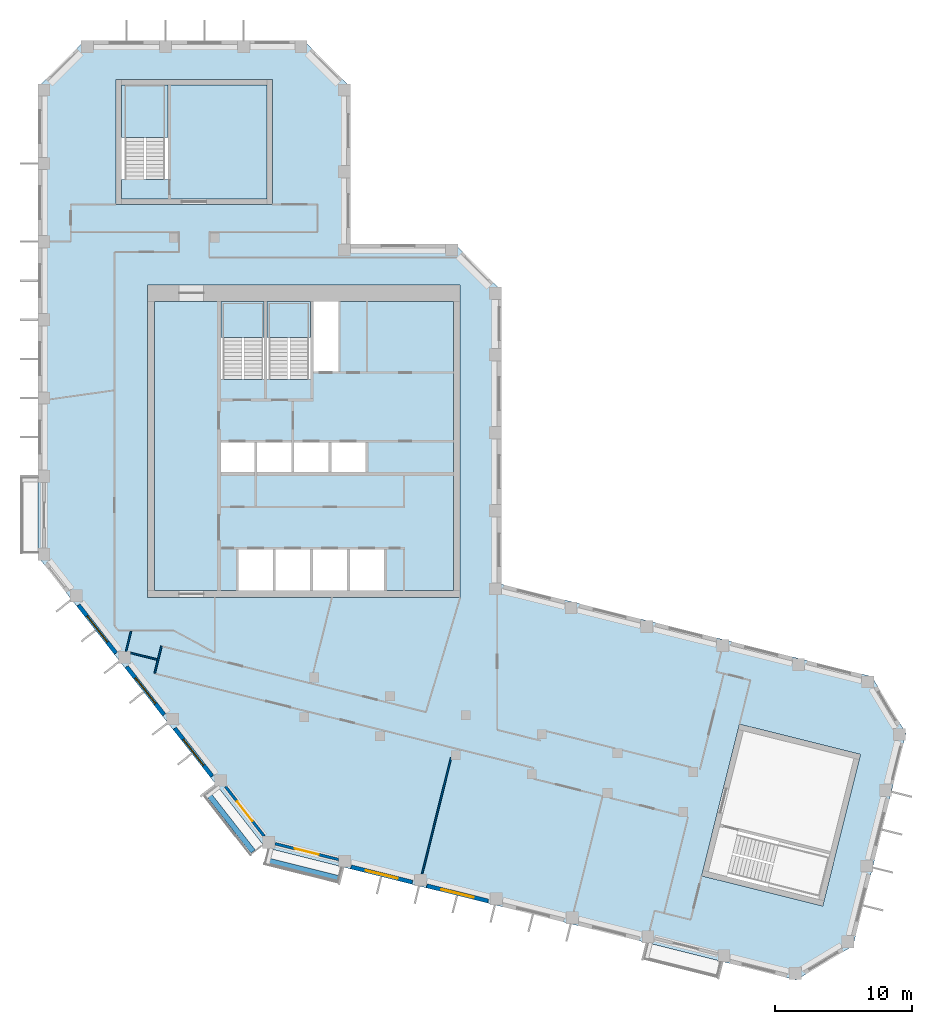
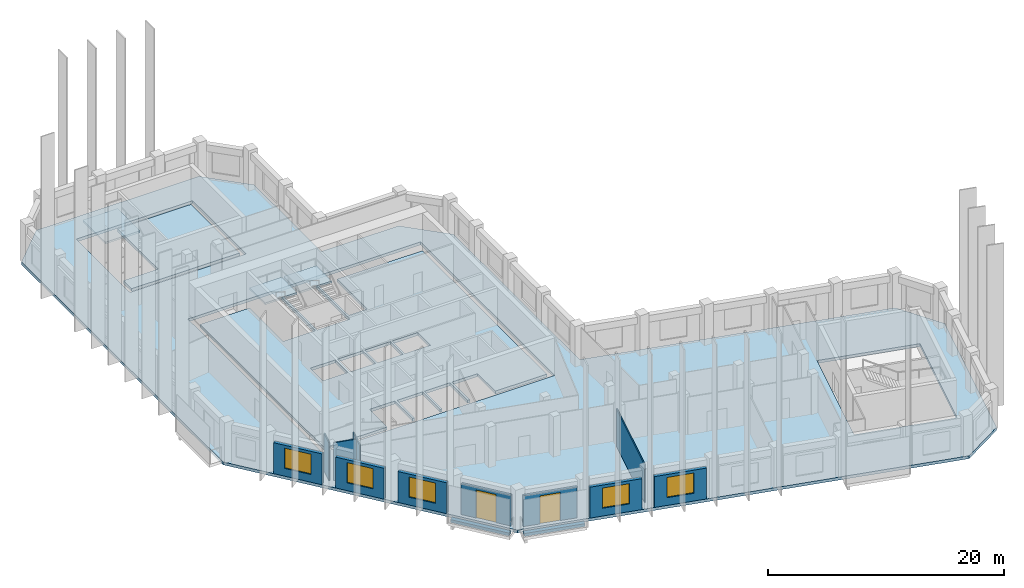
# One storey, part 2 of 8: 13 walls, 6 slabs, 5 windows, 2 doors, 7 openings, 3 elements without a shape of their own.
"""IFC4 building model written with IfcOpenShell, lengths in metres."""

from ifc_helpers import new_model, si_unit, direction, frame, frame_2d, origin, place, context, subcontext, project, spatial, polyline, rectangle, outline, extrude, material, layer, layer_set, type_object, element, fill, aggregate, save


model = new_model("IFC4")

# Units and contexts
model_context = context("Model", 3, precision=1e-05, world=origin(), true_north=direction((0.0, 1.0)))
body_context = subcontext(model_context, "Body", "Model", "MODEL_VIEW")
ifc_project = project(units=[si_unit("LENGTHUNIT", "METRE"), si_unit("AREAUNIT", "SQUARE_METRE"), si_unit("VOLUMEUNIT", "CUBIC_METRE"), si_unit("PLANEANGLEUNIT", "RADIAN"), si_unit("MASSUNIT", "GRAM", prefix="KILO")], contexts=[model_context])

# Site, building, storey
site_placement = place(None, origin())
site = spatial("IfcSite", under=ifc_project, at=site_placement, CompositionType="ELEMENT")
building_placement = place(site_placement, origin())
building = spatial("IfcBuilding", under=site, at=building_placement, Name="Meshkara Civic Tower", CompositionType="ELEMENT")
storey_placement = place(building_placement, frame((0.0, 0.0, 354.0)))
storey = spatial("IfcBuildingStorey", under=building, at=storey_placement, Name="L81", CompositionType="ELEMENT", Elevation=354.0)

# Slabs
ifc_material_1 = material(Name="Concrete C40/50", Category="concrete")
ifc_layer_1 = layer(ifc_material_1, 0.300048828125)
ifc_layer_set_1 = layer_set([ifc_layer_1], Name="Core floor slab 300 C40/50")
slab_type_1 = type_object("IfcSlabType", Name="Core floor slab 300 C40/50", PredefinedType="FLOOR", material=ifc_layer_set_1)
slab_1_placement = place(storey_placement, frame((0.0, 0.0, -0.300048828125)))
element("IfcSlab", 1, at=slab_1_placement, inside=storey, type_object=slab_type_1, Name="Core floor K", PredefinedType="FLOOR", context=body_context, shape_type="SweptSolid", body=[
    extrude(outline(polyline([(8.5, 35.699951171875), (13.35009765625, 35.699951171875), (13.35009765625, 30.00146484375), (16.5, 30.00146484375), (16.5, 35.699951171875), (16.699951171875, 35.699951171875), (16.699951171875, 30.00146484375), (19.89990234375, 30.00146484375), (19.89990234375, 35.699951171875), (20.10009765625, 35.699951171875), (20.10009765625, 30.574951171875), (21.925048828125, 30.574951171875), (21.925048828125, 35.699951171875), (30.300048828125, 35.699951171875), (30.300048828125, 14.60009765625), (25.25, 14.60009765625), (25.25, 17.60009765625), (22.75, 17.60009765625), (22.75, 14.60009765625), (22.550048828125, 14.60009765625), (22.550048828125, 17.60009765625), (20.050048828125, 17.60009765625), (20.050048828125, 14.60009765625), (19.85009765625, 14.60009765625), (19.85009765625, 17.60009765625), (17.35009765625, 17.60009765625), (17.35009765625, 14.60009765625), (17.14990234375, 14.60009765625), (17.14990234375, 17.60009765625), (14.64990234375, 17.60009765625), (14.64990234375, 14.60009765625), (8.5, 14.60009765625), (8.5, 35.699951171875)]), holes=[polyline([(13.35009765625, 23.25), (15.800048828125, 23.25), (15.800048828125, 25.39990234375), (13.35009765625, 25.39990234375), (13.35009765625, 23.25)]), polyline([(18.5, 23.25), (18.5, 25.39990234375), (16.0, 25.39990234375), (16.0, 23.25), (18.5, 23.25)]), polyline([(18.699951171875, 23.25), (21.199951171875, 23.25), (21.199951171875, 25.39990234375), (18.699951171875, 25.39990234375), (18.699951171875, 23.25)]), polyline([(23.89990234375, 23.25), (23.89990234375, 25.39990234375), (21.39990234375, 25.39990234375), (21.39990234375, 23.25), (23.89990234375, 23.25)])]), origin(), (0.0, 0.0, 1.0), 0.300048828125),
])
slab_2_placement = place(storey_placement, frame((0.0, 0.0, -0.300048828125)))
element("IfcSlab", 2, at=slab_2_placement, inside=storey, type_object=slab_type_1, Name="Core floor EA", PredefinedType="FLOOR", context=body_context, shape_type="SweptSolid", body=[
    extrude(outline(polyline([(16.699951171875, 43.169921875), (16.699951171875, 51.469970703125), (9.5, 51.469970703125), (9.5, 44.571533203125), (6.10009765625, 44.571533203125), (6.10009765625, 43.169921875), (16.699951171875, 43.169921875)])), origin(), (0.0, 0.0, 1.0), 0.300048828125),
])

# Stair, slab
ifc_material_2 = material(Name="Precast concrete C40/50", Category="concrete")
stair_type = type_object("IfcStairType", Name="Exit stair half-turn 24 risers precast", PredefinedType="HALF_TURN_STAIR", material=ifc_material_2)
stair_1_placement = place(storey_placement, origin())
stair_1 = element("IfcStair", 3, at=stair_1_placement, inside=storey, type_object=stair_type, Name="L81 exit stair 1", PredefinedType="HALF_TURN_STAIR")
ifc_material_3 = material(Name="Precast concrete C40/50", Category="concrete")
ifc_layer_2 = layer(ifc_material_3, 0.199951171875)
ifc_layer_set_2 = layer_set([ifc_layer_2], Name="Exit stair landing 200")
slab_type_2 = type_object("IfcSlabType", Name="Exit stair landing 200", PredefinedType="LANDING", material=ifc_layer_set_2)
slab_3_placement = place(storey_placement, frame((0.0, 0.0, 1.89990234375)))
slab_3 = element("IfcSlab", 4, at=slab_3_placement, type_object=slab_type_2, Name="ST1 landing 1", PredefinedType="LANDING", context=body_context, shape_type="SweptSolid", body=[
    extrude(outline(polyline([(16.5, 33.07861328125), (16.5, 35.699951171875), (13.35009765625, 35.699951171875), (13.35009765625, 33.07861328125), (16.5, 33.07861328125)])), origin(), (0.0, 0.0, 1.0), 0.2001953125),
])
aggregate(stair_1, [slab_3])

stair_2_placement = place(storey_placement, origin())
stair_2 = element("IfcStair", 5, at=stair_2_placement, inside=storey, type_object=stair_type, Name="L81 exit stair 2", PredefinedType="HALF_TURN_STAIR")
slab_4_placement = place(storey_placement, frame((0.0, 0.0, 1.89990234375)))
slab_4 = element("IfcSlab", 6, at=slab_4_placement, type_object=slab_type_2, Name="ST2 landing 1", PredefinedType="LANDING", context=body_context, shape_type="SweptSolid", body=[
    extrude(outline(polyline([(19.89990234375, 33.07861328125), (19.89990234375, 35.699951171875), (16.699951171875, 35.699951171875), (16.699951171875, 33.07861328125), (19.89990234375, 33.07861328125)])), origin(), (0.0, 0.0, 1.0), 0.2001953125),
])
aggregate(stair_2, [slab_4])

stair_3_placement = place(storey_placement, origin())
stair_3 = element("IfcStair", 7, at=stair_3_placement, inside=storey, type_object=stair_type, Name="L81 exit stair A from L80", PredefinedType="HALF_TURN_STAIR")
slab_5_placement = place(storey_placement, frame((0.0, 0.0, 1.89990234375)))
slab_5 = element("IfcSlab", 8, at=slab_5_placement, type_object=slab_type_2, Name="ESA6 landing 1", PredefinedType="LANDING", context=body_context, shape_type="SweptSolid", body=[
    extrude(outline(polyline([(9.5, 47.6484375), (9.5, 51.469970703125), (6.10009765625, 51.469970703125), (6.10009765625, 47.6484375), (9.5, 47.6484375)])), origin(), (0.0, 0.0, 1.0), 0.2001953125),
])
aggregate(stair_3, [slab_5])

# Slab
ifc_material_4 = material(Name="Concrete C50", Category="concrete")
ifc_layer_3 = layer(ifc_material_4, 0.300048828125)
ifc_layer_set_3 = layer_set([ifc_layer_3], Name="Post-tensioned flat slab 300 C50")
slab_type_3 = type_object("IfcSlabType", Name="Post-tensioned flat slab 300 C50", PredefinedType="FLOOR", material=ifc_layer_set_3)
slab_6_placement = place(storey_placement, frame((0.0, 0.0, -0.300048828125)))
element("IfcSlab", 9, at=slab_6_placement, inside=storey, type_object=slab_type_3, Name="Post-tensioned flat slab L81", PredefinedType="FLOOR", context=body_context, shape_type="SweptSolid", body=[
    extrude(outline(polyline([(59.452880859375, -11.299072265625), (55.306884765625, -13.7900390625), (16.592041015625, -4.136962890625), (0.0, 17.10009765625), (0.0, 51.300048828125), (3.419921875, 54.719970703125), (19.3798828125, 54.719970703125), (22.800048828125, 51.300048828125), (22.800048828125, 39.89990234375), (30.3798828125, 39.89990234375), (33.800048828125, 36.47998046875), (33.800048828125, 15.071044921875), (60.822998046875, 8.3330078125), (63.31396484375, 4.18701171875), (59.452880859375, -11.299072265625)]), holes=[polyline([(57.239013671875, -8.39697265625), (59.9970703125, 2.6650390625), (51.1669921875, 4.865966796875), (48.408935546875, -6.195068359375), (57.239013671875, -8.39697265625)]), polyline([(8.0, 14.10009765625), (30.800048828125, 14.10009765625), (30.800048828125, 36.89990234375), (8.0, 36.89990234375), (8.0, 14.10009765625)]), polyline([(5.699951171875, 51.8701171875), (5.699951171875, 42.77001953125), (17.10009765625, 42.77001953125), (17.10009765625, 51.8701171875), (5.699951171875, 51.8701171875)])]), origin(), (0.0, 0.0, 1.0), 0.300048828125),
])

# Wall
ifc_material_5 = material(Name="Corridor wall 100")
ifc_layer_4 = layer(ifc_material_5, 0.10009765625)
ifc_layer_set_4 = layer_set([ifc_layer_4], Name="Corridor wall 100")
wall_type_1 = type_object("IfcWallType", Name="Corridor wall 100", PredefinedType="PARTITIONING", material=ifc_layer_set_4)
wall_1_placement = place(storey_placement, frame((9.01708984375, 10.55810546875, 0.0), z_axis=(0.0, 0.0, 1.0), x_axis=(-0.241751728323, -0.970338137895, 0.0)))
element("IfcWall", 10, at=wall_1_placement, inside=storey, type_object=wall_type_1, Name="L81-W009", PredefinedType="PARTITIONING", context=body_context, shape_type="SweptSolid", body=[
    extrude(rectangle(XDim=2.052001953125, YDim=0.10009765625, at=frame_2d((1.02587890625, 0.0))), origin(), (0.0, 0.0, 1.0), 3.89990234375),
])

# Wall, opening, window
ifc_material_6 = material(Name="Insulated infill panel with bronze anodised aluminium cladding", Category="aluminium")
ifc_layer_5 = layer(ifc_material_6, 0.300048828125)
ifc_layer_set_5 = layer_set([ifc_layer_5], Name="EXTERNAL INFILL WALL 300")
wall_type_2 = type_object("IfcWallType", Name="EXTERNAL INFILL WALL 300", PredefinedType="SOLIDWALL", material=ifc_layer_set_5)
wall_2_placement = place(storey_placement, frame((2.967041015625, 13.547119140625, 0.0), z_axis=(0.0, 0.0, 1.0), x_axis=(0.615486001463, -0.788147817356, 0.0)))
wall_2 = element("IfcWall", 11, at=wall_2_placement, inside=storey, type_object=wall_type_2, Name="External wall", PredefinedType="SOLIDWALL", context=body_context, shape_type="SweptSolid", body=[
    extrude(rectangle(XDim=4.43701171875, YDim=0.300048828125, at=frame_2d((2.218505859375, 0.0))), origin(), (0.0, 0.0, 1.0), 3.199951171875),
])
opening_1_placement = place(wall_2_placement, frame((1.01806640625, 0.0, 0.800048828125)))
opening_1 = element("IfcOpeningElement", 12, at=opening_1_placement, cuts=wall_2, Name="Opening W7", PredefinedType="OPENING", context=body_context, shape_type="SweptSolid", body=[
    extrude(rectangle(XDim=2.39990234375, YDim=2.10009765625, at=frame_2d((1.199951171875, 1.050048828125))), frame((0.0, 0.159912109375, 0.0), z_axis=(0.0, -1.0, 0.0), x_axis=(1.0, 0.0, 0.0)), (0.0, 0.0, 1.0), 0.320068359375),
])
ifc_material_7 = material(Name="Tinted double glazing", Category="glass")
window_type = type_object("IfcWindowType", Name="WINDOW 2400x2100", PartitioningType="DOUBLE_PANEL_VERTICAL", PredefinedType="WINDOW", material=ifc_material_7)
window_1_placement = place(opening_1_placement, origin())
window_1 = element("IfcWindow", 13, at=window_1_placement, inside=storey, type_object=window_type, Name="Window", OverallHeight=2.10009765625, OverallWidth=2.39990234375, PartitioningType="DOUBLE_PANEL_VERTICAL", PredefinedType="WINDOW", context=body_context, shape_type="SweptSolid", body=[
    extrude(rectangle(XDim=2.39990234375, YDim=2.10009765625, at=frame_2d((1.199951171875, 1.050048828125))), frame((0.0, 0.030029296875, 0.0), z_axis=(0.0, -1.0, 0.0), x_axis=(1.0, 0.0, 0.0)), (0.0, 0.0, 1.0), 0.06005859375),
])
fill(opening_1, window_1)

wall_3_placement = place(storey_placement, frame((6.47607421875, 9.054931640625, 0.0), z_axis=(0.0, 0.0, 1.0), x_axis=(0.615649380255, -0.788020203162, 0.0)))
wall_3 = element("IfcWall", 14, at=wall_3_placement, inside=storey, type_object=wall_type_2, Name="External wall", PredefinedType="SOLIDWALL", context=body_context, shape_type="SweptSolid", body=[
    extrude(rectangle(XDim=4.4375, YDim=0.300048828125, at=frame_2d((2.21875, 0.0))), origin(), (0.0, 0.0, 1.0), 3.199951171875),
])
opening_2_placement = place(wall_3_placement, frame((1.01904296875, 0.0, 0.800048828125)))
opening_2 = element("IfcOpeningElement", 15, at=opening_2_placement, cuts=wall_3, Name="Opening W7", PredefinedType="OPENING", context=body_context, shape_type="SweptSolid", body=[
    extrude(rectangle(XDim=2.39990234375, YDim=2.10009765625, at=frame_2d((1.199951171875, 1.050048828125))), frame((0.0, 0.159912109375, 0.0), z_axis=(0.0, -1.0, 0.0), x_axis=(1.0, 0.0, 0.0)), (0.0, 0.0, 1.0), 0.320068359375),
])
window_2_placement = place(opening_2_placement, origin())
window_2 = element("IfcWindow", 16, at=window_2_placement, inside=storey, type_object=window_type, Name="Window", OverallHeight=2.10009765625, OverallWidth=2.39990234375, PartitioningType="DOUBLE_PANEL_VERTICAL", PredefinedType="WINDOW", context=body_context, shape_type="SweptSolid", body=[
    extrude(rectangle(XDim=2.39990234375, YDim=2.10009765625, at=frame_2d((1.199951171875, 1.050048828125))), frame((0.0, 0.030029296875, 0.0), z_axis=(0.0, -1.0, 0.0), x_axis=(1.0, 0.0, 0.0)), (0.0, 0.0, 1.0), 0.06005859375),
])
fill(opening_2, window_2)

wall_4_placement = place(storey_placement, frame((9.986083984375, 4.56298828125, 0.0), z_axis=(0.0, 0.0, 1.0), x_axis=(0.615592779411, -0.788064419915, 0.0)))
wall_4 = element("IfcWall", 17, at=wall_4_placement, inside=storey, type_object=wall_type_2, Name="External wall", PredefinedType="SOLIDWALL", context=body_context, shape_type="SweptSolid", body=[
    extrude(rectangle(XDim=4.436279296875, YDim=0.300048828125, at=frame_2d((2.21826171875, 0.0))), origin(), (0.0, 0.0, 1.0), 3.199951171875),
])
opening_3_placement = place(wall_4_placement, frame((1.01806640625, 0.0, 0.800048828125)))
opening_3 = element("IfcOpeningElement", 18, at=opening_3_placement, cuts=wall_4, Name="Opening W7", PredefinedType="OPENING", context=body_context, shape_type="SweptSolid", body=[
    extrude(rectangle(XDim=2.39990234375, YDim=2.10009765625, at=frame_2d((1.199951171875, 1.050048828125))), frame((0.0, 0.159912109375, 0.0), z_axis=(0.0, -1.0, 0.0), x_axis=(1.0, 0.0, 0.0)), (0.0, 0.0, 1.0), 0.320068359375),
])
window_3_placement = place(opening_3_placement, origin())
window_3 = element("IfcWindow", 19, at=window_3_placement, inside=storey, type_object=window_type, Name="Window", OverallHeight=2.10009765625, OverallWidth=2.39990234375, PartitioningType="DOUBLE_PANEL_VERTICAL", PredefinedType="WINDOW", context=body_context, shape_type="SweptSolid", body=[
    extrude(rectangle(XDim=2.39990234375, YDim=2.10009765625, at=frame_2d((1.199951171875, 1.050048828125))), frame((0.0, 0.030029296875, 0.0), z_axis=(0.0, -1.0, 0.0), x_axis=(1.0, 0.0, 0.0)), (0.0, 0.0, 1.0), 0.06005859375),
])
fill(opening_3, window_3)

wall_5_placement = place(storey_placement, frame((22.839111328125, -5.5400390625, 0.0), z_axis=(0.0, 0.0, 1.0), x_axis=(0.970282587769, -0.241974585177, 0.0)))
wall_5 = element("IfcWall", 20, at=wall_5_placement, inside=storey, type_object=wall_type_2, Name="External wall", PredefinedType="SOLIDWALL", context=body_context, shape_type="SweptSolid", body=[
    extrude(rectangle(XDim=4.60791015625, YDim=0.300048828125, at=frame_2d((2.303955078125, 0.0))), origin(), (0.0, 0.0, 1.0), 3.199951171875),
])
opening_4_placement = place(wall_5_placement, frame((1.10400390625, 0.0, 0.800048828125)))
opening_4 = element("IfcOpeningElement", 21, at=opening_4_placement, cuts=wall_5, Name="Opening W7", PredefinedType="OPENING", context=body_context, shape_type="SweptSolid", body=[
    extrude(rectangle(XDim=2.39990234375, YDim=2.10009765625, at=frame_2d((1.199951171875, 1.050048828125))), frame((0.0, 0.159912109375, 0.0), z_axis=(0.0, -1.0, 0.0), x_axis=(1.0, 0.0, 0.0)), (0.0, 0.0, 1.0), 0.320068359375),
])
window_4_placement = place(opening_4_placement, origin())
window_4 = element("IfcWindow", 22, at=window_4_placement, inside=storey, type_object=window_type, Name="Window", OverallHeight=2.10009765625, OverallWidth=2.39990234375, PartitioningType="DOUBLE_PANEL_VERTICAL", PredefinedType="WINDOW", context=body_context, shape_type="SweptSolid", body=[
    extrude(rectangle(XDim=2.39990234375, YDim=2.10009765625, at=frame_2d((1.199951171875, 1.050048828125))), frame((0.0, 0.030029296875, 0.0), z_axis=(0.0, -1.0, 0.0), x_axis=(1.0, 0.0, 0.0)), (0.0, 0.0, 1.0), 0.06005859375),
])
fill(opening_4, window_4)

wall_6_placement = place(storey_placement, frame((28.368896484375, -6.9189453125, 0.0), z_axis=(0.0, 0.0, 1.0), x_axis=(0.970298093093, -0.241912402618, 0.0)))
wall_6 = element("IfcWall", 23, at=wall_6_placement, inside=storey, type_object=wall_type_2, Name="External wall", PredefinedType="SOLIDWALL", context=body_context, shape_type="SweptSolid", body=[
    extrude(rectangle(XDim=4.609130859375, YDim=0.300048828125, at=frame_2d((2.3046875, 0.0))), origin(), (0.0, 0.0, 1.0), 3.199951171875),
])
opening_5_placement = place(wall_6_placement, frame((1.10498046875, 0.0, 0.800048828125)))
opening_5 = element("IfcOpeningElement", 24, at=opening_5_placement, cuts=wall_6, Name="Opening W7", PredefinedType="OPENING", context=body_context, shape_type="SweptSolid", body=[
    extrude(rectangle(XDim=2.39990234375, YDim=2.10009765625, at=frame_2d((1.199951171875, 1.050048828125))), frame((0.0, 0.159912109375, 0.0), z_axis=(0.0, -1.0, 0.0), x_axis=(1.0, 0.0, 0.0)), (0.0, 0.0, 1.0), 0.320068359375),
])
window_5_placement = place(opening_5_placement, origin())
window_5 = element("IfcWindow", 25, at=window_5_placement, inside=storey, type_object=window_type, Name="Window", OverallHeight=2.10009765625, OverallWidth=2.39990234375, PartitioningType="DOUBLE_PANEL_VERTICAL", PredefinedType="WINDOW", context=body_context, shape_type="SweptSolid", body=[
    extrude(rectangle(XDim=2.39990234375, YDim=2.10009765625, at=frame_2d((1.199951171875, 1.050048828125))), frame((0.0, 0.030029296875, 0.0), z_axis=(0.0, -1.0, 0.0), x_axis=(1.0, 0.0, 0.0)), (0.0, 0.0, 1.0), 0.06005859375),
])
fill(opening_5, window_5)

# Wall, opening, door
ifc_material_8 = material(Name="Insulated infill panel with bronze anodised aluminium cladding", Category="aluminium")
ifc_layer_6 = layer(ifc_material_8, 0.199951171875)
ifc_layer_set_6 = layer_set([ifc_layer_6], Name="LOGGIA BACK WALL 200")
wall_type_3 = type_object("IfcWallType", Name="LOGGIA BACK WALL 200", PredefinedType="SOLIDWALL", material=ifc_layer_set_6)
wall_7_placement = place(storey_placement, frame((13.694091796875, 0.303955078125, 0.0), z_axis=(0.0, 0.0, 1.0), x_axis=(0.615460024179, -0.788168103033, 0.0)))
wall_7 = element("IfcWall", 26, at=wall_7_placement, inside=storey, type_object=wall_type_3, Name="Loggia wall", PredefinedType="SOLIDWALL", context=body_context, shape_type="SweptSolid", body=[
    extrude(rectangle(XDim=4.557373046875, YDim=0.199951171875, at=frame_2d((2.27880859375, 0.0))), origin(), (0.0, 0.0, 1.0), 3.199951171875),
])
opening_6_placement = place(wall_7_placement, frame((1.37890625, 0.0, 0.0)))
opening_6 = element("IfcOpeningElement", 27, at=opening_6_placement, cuts=wall_7, Name="Opening L81-L002", PredefinedType="OPENING", context=body_context, shape_type="SweptSolid", body=[
    extrude(rectangle(XDim=1.800048828125, YDim=2.89990234375, at=frame_2d((0.89990234375, 1.449951171875))), frame((0.0, 0.10986328125, 0.0), z_axis=(0.0, -1.0, 0.0), x_axis=(1.0, 0.0, 0.0)), (0.0, 0.0, 1.0), 0.219970703125),
])
ifc_material_9 = material(Name="Tinted double glazing", Category="glass")
door_type = type_object("IfcDoorType", Name="LOGGIA DOOR 1800x2900", OperationType="DOUBLE_DOOR_SINGLE_SWING", PredefinedType="DOOR", material=ifc_material_9)
door_1_placement = place(opening_6_placement, origin())
door_1 = element("IfcDoor", 28, at=door_1_placement, inside=storey, type_object=door_type, Name="L81-L002", OperationType="DOUBLE_DOOR_SINGLE_SWING", OverallHeight=2.89990234375, OverallWidth=1.800048828125, PredefinedType="DOOR", context=body_context, shape_type="SweptSolid", body=[
    extrude(rectangle(XDim=1.800048828125, YDim=2.89990234375, at=frame_2d((0.89990234375, 1.449951171875))), frame((0.0, 0.02490234375, 0.0), z_axis=(0.0, -1.0, 0.0), x_axis=(1.0, 0.0, 0.0)), (0.0, 0.0, 1.0), 0.050048828125),
])
fill(opening_6, door_1)

wall_8_placement = place(storey_placement, frame((17.301025390625, -3.85009765625, 0.0), z_axis=(0.0, 0.0, 1.0), x_axis=(0.970286762598, -0.241957844111, 0.0)))
wall_8 = element("IfcWall", 29, at=wall_8_placement, inside=storey, type_object=wall_type_3, Name="Loggia wall", PredefinedType="SOLIDWALL", context=body_context, shape_type="SweptSolid", body=[
    extrude(rectangle(XDim=4.772705078125, YDim=0.199951171875, at=frame_2d((2.38623046875, 0.0))), origin(), (0.0, 0.0, 1.0), 3.199951171875),
])
opening_7_placement = place(wall_8_placement, frame((1.486083984375, 0.0, 0.0)))
opening_7 = element("IfcOpeningElement", 30, at=opening_7_placement, cuts=wall_8, Name="Opening L81-L003", PredefinedType="OPENING", context=body_context, shape_type="SweptSolid", body=[
    extrude(rectangle(XDim=1.800048828125, YDim=2.89990234375, at=frame_2d((0.89990234375, 1.449951171875))), frame((0.0, 0.10986328125, 0.0), z_axis=(0.0, -1.0, 0.0), x_axis=(1.0, 0.0, 0.0)), (0.0, 0.0, 1.0), 0.219970703125),
])
door_2_placement = place(opening_7_placement, origin())
door_2 = element("IfcDoor", 31, at=door_2_placement, inside=storey, type_object=door_type, Name="L81-L003", OperationType="DOUBLE_DOOR_SINGLE_SWING", OverallHeight=2.89990234375, OverallWidth=1.800048828125, PredefinedType="DOOR", context=body_context, shape_type="SweptSolid", body=[
    extrude(rectangle(XDim=1.800048828125, YDim=2.89990234375, at=frame_2d((0.89990234375, 1.449951171875))), frame((0.0, 0.02490234375, 0.0), z_axis=(0.0, -1.0, 0.0), x_axis=(1.0, 0.0, 0.0)), (0.0, 0.0, 1.0), 0.050048828125),
])
fill(opening_7, door_2)

# Walls
ifc_material_10 = material(Name="Concrete C40", Category="concrete")
ifc_layer_7 = layer(ifc_material_10, 0.39990234375)
ifc_layer_set_7 = layer_set([ifc_layer_7], Name="PLANTER TRAY")
wall_type_4 = type_object("IfcWallType", Name="PLANTER TRAY", PredefinedType="SOLIDWALL", material=ifc_layer_set_7)
wall_9_placement = place(storey_placement, frame((12.39794921875, -0.198974609375, 0.0), z_axis=(0.0, 0.0, 1.0), x_axis=(0.615638738903, -0.788028516719, 0.0)))
element("IfcWall", 32, at=wall_9_placement, inside=storey, type_object=wall_type_4, Name="Planter", PredefinedType="SOLIDWALL", context=body_context, shape_type="SweptSolid", body=[
    extrude(rectangle(XDim=5.3603515625, YDim=0.39990234375, at=frame_2d((2.68017578125, 0.0))), origin(), (0.0, 0.0, 1.0), 0.300048828125),
])
wall_10_placement = place(storey_placement, frame((16.694091796875, -5.069091796875, 0.0), z_axis=(0.0, 0.0, 1.0), x_axis=(0.970289679319, -0.241946147329, 0.0)))
element("IfcWall", 33, at=wall_10_placement, inside=storey, type_object=wall_type_4, Name="Planter", PredefinedType="SOLIDWALL", context=body_context, shape_type="SweptSolid", body=[
    extrude(rectangle(XDim=5.360107421875, YDim=0.39990234375, at=frame_2d((2.68017578125, 0.0))), origin(), (0.0, 0.0, 1.0), 0.300048828125),
])
ifc_material_11 = material(Name="Partition 100")
ifc_layer_8 = layer(ifc_material_11, 0.10009765625)
ifc_layer_set_8 = layer_set([ifc_layer_8], Name="Partition 100")
wall_type_5 = type_object("IfcWallType", Name="Partition 100", PredefinedType="PARTITIONING", material=ifc_layer_set_8)
wall_11_placement = place(storey_placement, frame((6.797119140625, 11.637939453125, 0.0), z_axis=(0.0, 0.0, 1.0), x_axis=(-0.242113049408, -0.970248046278, 0.0)))
element("IfcWall", 34, at=wall_11_placement, inside=storey, type_object=wall_type_5, Name="L81-W035", PredefinedType="PARTITIONING", context=body_context, shape_type="SweptSolid", body=[
    extrude(rectangle(XDim=1.495361328125, YDim=0.10009765625, at=frame_2d((0.74755859375, 0.0))), origin(), (0.0, 0.0, 1.0), 3.89990234375),
])
wall_12_placement = place(storey_placement, frame((8.719970703125, 9.573974609375, 0.0), z_axis=(0.0, 0.0, 1.0), x_axis=(-0.970221168815, 0.24222073318, 0.0)))
element("IfcWall", 35, at=wall_12_placement, inside=storey, type_object=wall_type_5, Name="L81-W036", PredefinedType="PARTITIONING", context=body_context, shape_type="SweptSolid", body=[
    extrude(rectangle(XDim=2.0068359375, YDim=0.10009765625, at=frame_2d((1.00341796875, 0.0))), origin(), (0.0, 0.0, 1.0), 3.89990234375),
])
wall_13_placement = place(storey_placement, frame((28.02587890625, -6.0458984375, 0.0), z_axis=(0.0, 0.0, 1.0), x_axis=(0.241850505633, 0.970313523004, 0.0)))
element("IfcWall", 36, at=wall_13_placement, inside=storey, type_object=wall_type_5, Name="L81-W038", PredefinedType="PARTITIONING", context=body_context, shape_type="SweptSolid", body=[
    extrude(rectangle(XDim=8.720703125, YDim=0.10009765625, at=frame_2d((4.3603515625, 0.0))), origin(), (0.0, 0.0, 1.0), 3.89990234375),
])

save(model, "model.ifc")
